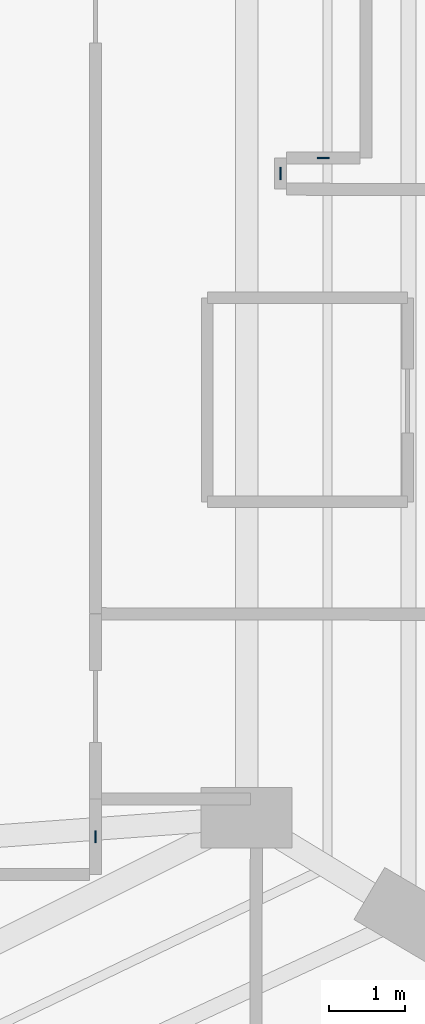
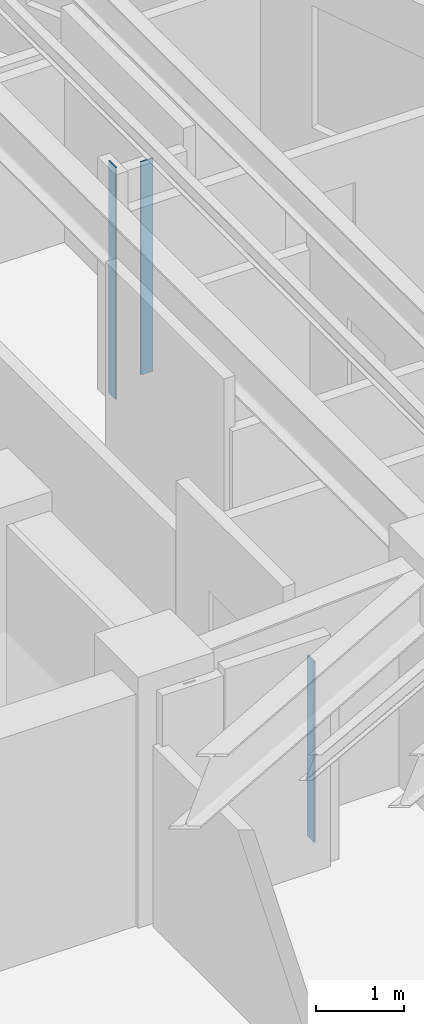
# One storey, part 6 of 14: 3 plates.
"""IFC4 building model written with IfcOpenShell, lengths in metres."""

from ifc_helpers import new_model, si_unit, direction, frame, origin, origin_2d, place, context, subcontext, project, spatial, rectangle, extrude, material, layer, layer_set, type_object, element, save


model = new_model("IFC4")

# Units and contexts
model_context = context("Model", 3, precision=1e-05, world=origin(), true_north=direction((0.0, 1.0)))
body_context = subcontext(model_context, "Body", "Model", "MODEL_VIEW")
ifc_project = project(units=[si_unit("LENGTHUNIT", "METRE"), si_unit("AREAUNIT", "SQUARE_METRE"), si_unit("VOLUMEUNIT", "CUBIC_METRE"), si_unit("PLANEANGLEUNIT", "RADIAN"), si_unit("MASSUNIT", "GRAM", prefix="KILO")], contexts=[model_context])

# Site, building, storey
site_placement = place(None, origin())
site = spatial("IfcSite", under=ifc_project, at=site_placement, CompositionType="ELEMENT")
building_placement = place(site_placement, origin())
building = spatial("IfcBuilding", under=site, at=building_placement, Name="Miruveldt Soraemaru", CompositionType="ELEMENT")
storey_placement = place(building_placement, frame((0.0, 0.0, 131.89990234375)))
storey = spatial("IfcBuildingStorey", under=building, at=storey_placement, Name="L36", CompositionType="ELEMENT", Elevation=131.89990234375)

# Plates
ifc_material = material(Name="Anodised aluminium EN AW-6063 T6", Category="aluminium")
ifc_layer = layer(ifc_material, 0.02001953125, Name="Anodised aluminium EN AW-6063 T6", Category="aluminium")
ifc_layer_set = layer_set([ifc_layer], Name="Anodised aluminium EN AW-6063 T6")
plate_type = type_object("IfcPlateType", Name="PLT-PART-TRIM", PredefinedType="SHEET", material=ifc_layer_set)
plate_1_placement = place(storey_placement, frame((54.60009765625, 35.550048828125, 0.000244140625), z_axis=(0.0, 0.0, 1.0), x_axis=(0.0, 1.0, 0.0)))
element("IfcPlate", 1, at=plate_1_placement, inside=storey, type_object=plate_type, Name="L36 Partition Step Corner Trim Plate 013", PredefinedType="SHEET", context=body_context, shape_type="SweptSolid", body=[
    extrude(rectangle(XDim=0.159912109375, YDim=0.02001953125, at=origin_2d()), origin(), (0.0, 0.0, 1.0), 2.52294921875),
])
plate_2_placement = place(storey_placement, frame((57.614990234375, 44.530029296875, 0.0), z_axis=(0.0, 0.0, 1.0), x_axis=(1.0, 0.0, 0.0)))
element("IfcPlate", 2, at=plate_2_placement, inside=storey, type_object=plate_type, Name="L36 Partition Step Corner Trim Plate 055", PredefinedType="SHEET", context=body_context, shape_type="SweptSolid", body=[
    extrude(rectangle(XDim=0.159912109375, YDim=0.02001953125, at=origin_2d()), origin(), (0.0, 0.0, 1.0), 2.972900390625),
])
plate_3_placement = place(storey_placement, frame((57.050048828125, 44.323486328125, 0.0), z_axis=(0.0, 0.0, 1.0), x_axis=(0.0, 1.0, 0.0)))
element("IfcPlate", 3, at=plate_3_placement, inside=storey, type_object=plate_type, Name="L36 Partition Step Corner Trim Plate 088", PredefinedType="SHEET", context=body_context, shape_type="SweptSolid", body=[
    extrude(rectangle(XDim=0.159912109375, YDim=0.02001953125, at=origin_2d()), origin(), (0.0, 0.0, 1.0), 3.235107421875),
])

save(model, "model.ifc")
